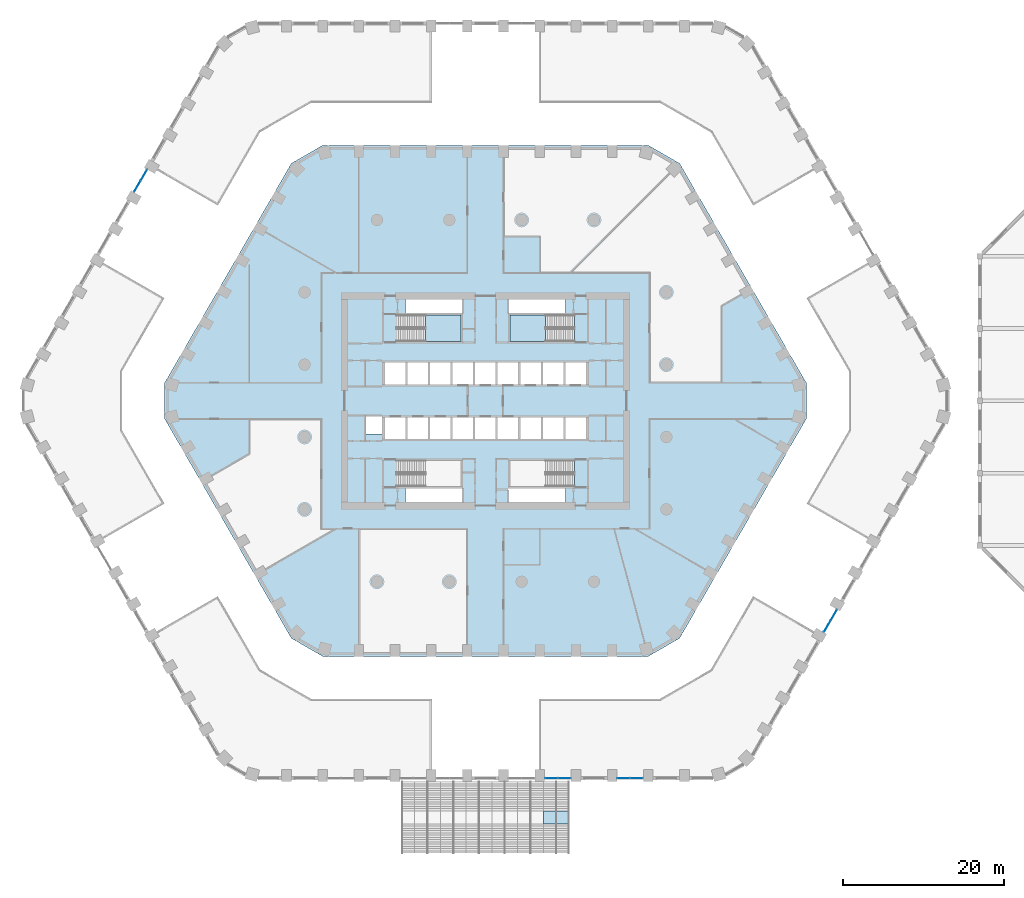
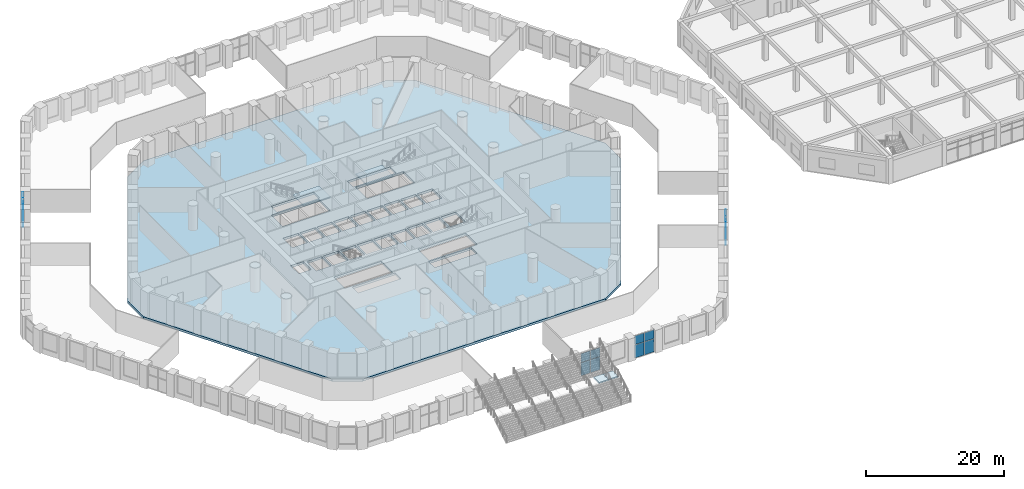
# One storey, part 14 of 42: 16 plates, 5 slabs, 8 elements without a shape of their own.
"""IFC4 building model written with IfcOpenShell, lengths in metres."""

from ifc_helpers import new_model, si_unit, direction, frame, origin, origin_2d, place, context, subcontext, project, spatial, polyline, rectangle, outline, extrude, material, layer, layer_set, type_object, element, aggregate, save


model = new_model("IFC4")

# Units and contexts
model_context = context("Model", 3, precision=1e-05, world=origin(), true_north=direction((0.0, 1.0)))
body_context = subcontext(model_context, "Body", "Model", "MODEL_VIEW")
ifc_project = project(units=[si_unit("LENGTHUNIT", "METRE"), si_unit("AREAUNIT", "SQUARE_METRE"), si_unit("VOLUMEUNIT", "CUBIC_METRE"), si_unit("PLANEANGLEUNIT", "RADIAN"), si_unit("MASSUNIT", "GRAM", prefix="KILO")], contexts=[model_context])

# Site, building, storey
site_placement = place(None, origin())
site = spatial("IfcSite", under=ifc_project, at=site_placement, CompositionType="ELEMENT")
building_placement = place(site_placement, origin())
building = spatial("IfcBuilding", under=site, at=building_placement, Name="Dhurran Vertical Campus", CompositionType="ELEMENT")
storey_placement = place(building_placement, frame((0.0, 0.0, 6.0)))
storey = spatial("IfcBuildingStorey", under=building, at=storey_placement, Name="L01", CompositionType="ELEMENT", Elevation=6.0)

# Curtain wall, plates
ifc_material_1 = material(Name="Aluminium frame with solar-control glass", Category="aluminium")
ifc_layer_1 = layer(ifc_material_1, 0.199951171875)
ifc_layer_set_1 = layer_set([ifc_layer_1], Name="Aluminium frame with solar-control glass")
curtain_wall_type = type_object("IfcCurtainWallType", Name="Entrance glazing system", PredefinedType="NOTDEFINED", material=ifc_layer_set_1)
curtain_wall_1_placement = place(storey_placement, origin())
curtain_wall_1 = element("IfcCurtainWall", 1, at=curtain_wall_1_placement, inside=storey, type_object=curtain_wall_type, Name="CW1 L01.08", PredefinedType="NOTDEFINED")
ifc_material_2 = material(Name="Clear solar-control glass", Category="glass")
ifc_layer_2 = layer(ifc_material_2, 0.028076171875)
ifc_layer_set_2 = layer_set([ifc_layer_2], Name="Clear solar-control glass")
plate_type = type_object("IfcPlateType", Name="Entrance glazing system panel", PredefinedType="CURTAIN_PANEL", material=ifc_layer_set_2)
plate_1_placement = place(storey_placement, frame((8.190185546875, -46.943359375, 0.06005859375), z_axis=(0.0, 0.0, 1.0), x_axis=(1.0, 0.0, 0.0)))
plate_1 = element("IfcPlate", 2, at=plate_1_placement, type_object=plate_type, Name="CW1 panel 1.1", PredefinedType="CURTAIN_PANEL", context=body_context, shape_type="SweptSolid", body=[
    extrude(rectangle(XDim=1.5595703125, YDim=0.028076171875, at=origin_2d()), origin(), (0.0, 0.0, 1.0), 2.31005859375),
])
plate_2_placement = place(storey_placement, frame((8.190185546875, -46.943359375, 2.429931640625), z_axis=(0.0, 0.0, 1.0), x_axis=(1.0, 0.0, 0.0)))
plate_2 = element("IfcPlate", 3, at=plate_2_placement, type_object=plate_type, Name="CW1 panel 1.2", PredefinedType="CURTAIN_PANEL", context=body_context, shape_type="SweptSolid", body=[
    extrude(rectangle(XDim=1.5595703125, YDim=0.028076171875, at=origin_2d()), origin(), (0.0, 0.0, 1.0), 1.56005859375),
])
plate_3_placement = place(storey_placement, frame((9.809814453125, -46.943359375, 0.06005859375), z_axis=(0.0, 0.0, 1.0), x_axis=(1.0, 0.0, 0.0)))
plate_3 = element("IfcPlate", 4, at=plate_3_placement, type_object=plate_type, Name="CW1 panel 2.1", PredefinedType="CURTAIN_PANEL", context=body_context, shape_type="SweptSolid", body=[
    extrude(rectangle(XDim=1.5595703125, YDim=0.028076171875, at=origin_2d()), origin(), (0.0, 0.0, 1.0), 2.31005859375),
])
plate_4_placement = place(storey_placement, frame((9.809814453125, -46.943359375, 2.429931640625), z_axis=(0.0, 0.0, 1.0), x_axis=(1.0, 0.0, 0.0)))
plate_4 = element("IfcPlate", 5, at=plate_4_placement, type_object=plate_type, Name="CW1 panel 2.2", PredefinedType="CURTAIN_PANEL", context=body_context, shape_type="SweptSolid", body=[
    extrude(rectangle(XDim=1.5595703125, YDim=0.028076171875, at=origin_2d()), origin(), (0.0, 0.0, 1.0), 1.56005859375),
])
aggregate(curtain_wall_1, [plate_1, plate_2, plate_3, plate_4])

curtain_wall_2_placement = place(storey_placement, origin())
curtain_wall_2 = element("IfcCurtainWall", 6, at=curtain_wall_2_placement, inside=storey, type_object=curtain_wall_type, Name="CW1 L01.10", PredefinedType="NOTDEFINED")
plate_5_placement = place(storey_placement, frame((17.190185546875, -46.943359375, 0.06005859375), z_axis=(0.0, 0.0, 1.0), x_axis=(1.0, 0.0, 0.0)))
plate_5 = element("IfcPlate", 7, at=plate_5_placement, type_object=plate_type, Name="CW1 panel 1.1", PredefinedType="CURTAIN_PANEL", context=body_context, shape_type="SweptSolid", body=[
    extrude(rectangle(XDim=1.5595703125, YDim=0.028076171875, at=origin_2d()), origin(), (0.0, 0.0, 1.0), 2.31005859375),
])
plate_6_placement = place(storey_placement, frame((17.190185546875, -46.943359375, 2.429931640625), z_axis=(0.0, 0.0, 1.0), x_axis=(1.0, 0.0, 0.0)))
plate_6 = element("IfcPlate", 8, at=plate_6_placement, type_object=plate_type, Name="CW1 panel 1.2", PredefinedType="CURTAIN_PANEL", context=body_context, shape_type="SweptSolid", body=[
    extrude(rectangle(XDim=1.5595703125, YDim=0.028076171875, at=origin_2d()), origin(), (0.0, 0.0, 1.0), 1.56005859375),
])
plate_7_placement = place(storey_placement, frame((18.809814453125, -46.943359375, 0.06005859375), z_axis=(0.0, 0.0, 1.0), x_axis=(1.0, 0.0, 0.0)))
plate_7 = element("IfcPlate", 9, at=plate_7_placement, type_object=plate_type, Name="CW1 panel 2.1", PredefinedType="CURTAIN_PANEL", context=body_context, shape_type="SweptSolid", body=[
    extrude(rectangle(XDim=1.5595703125, YDim=0.028076171875, at=origin_2d()), origin(), (0.0, 0.0, 1.0), 2.31005859375),
])
plate_8_placement = place(storey_placement, frame((18.809814453125, -46.943359375, 2.429931640625), z_axis=(0.0, 0.0, 1.0), x_axis=(1.0, 0.0, 0.0)))
plate_8 = element("IfcPlate", 10, at=plate_8_placement, type_object=plate_type, Name="CW1 panel 2.2", PredefinedType="CURTAIN_PANEL", context=body_context, shape_type="SweptSolid", body=[
    extrude(rectangle(XDim=1.5595703125, YDim=0.028076171875, at=origin_2d()), origin(), (0.0, 0.0, 1.0), 1.56005859375),
])
aggregate(curtain_wall_2, [plate_5, plate_6, plate_7, plate_8])

curtain_wall_3_placement = place(storey_placement, origin())
curtain_wall_3 = element("IfcCurtainWall", 11, at=curtain_wall_3_placement, inside=storey, type_object=curtain_wall_type, Name="CW1 L01.18", PredefinedType="NOTDEFINED")
plate_9_placement = place(storey_placement, frame((42.499267578125, -28.070068359375, 0.06005859375), z_axis=(0.0, 0.0, 1.0), x_axis=(0.499989211906, 0.866031632204, 0.0)))
plate_9 = element("IfcPlate", 12, at=plate_9_placement, type_object=plate_type, Name="CW1 panel 1.1", PredefinedType="CURTAIN_PANEL", context=body_context, shape_type="SweptSolid", body=[
    extrude(rectangle(XDim=1.5595703125, YDim=0.028076171875, at=origin_2d()), origin(), (0.0, 0.0, 1.0), 2.31005859375),
])
plate_10_placement = place(storey_placement, frame((42.499267578125, -28.070068359375, 2.429931640625), z_axis=(0.0, 0.0, 1.0), x_axis=(0.499989211906, 0.866031632204, 0.0)))
plate_10 = element("IfcPlate", 13, at=plate_10_placement, type_object=plate_type, Name="CW1 panel 1.2", PredefinedType="CURTAIN_PANEL", context=body_context, shape_type="SweptSolid", body=[
    extrude(rectangle(XDim=1.5595703125, YDim=0.028076171875, at=origin_2d()), origin(), (0.0, 0.0, 1.0), 1.56005859375),
])
plate_11_placement = place(storey_placement, frame((43.308837890625, -26.66748046875, 0.06005859375), z_axis=(0.0, 0.0, 1.0), x_axis=(0.499989211906, 0.866031632204, 0.0)))
plate_11 = element("IfcPlate", 14, at=plate_11_placement, type_object=plate_type, Name="CW1 panel 2.1", PredefinedType="CURTAIN_PANEL", context=body_context, shape_type="SweptSolid", body=[
    extrude(rectangle(XDim=1.5595703125, YDim=0.028076171875, at=origin_2d()), origin(), (0.0, 0.0, 1.0), 2.31005859375),
])
plate_12_placement = place(storey_placement, frame((43.308837890625, -26.66748046875, 2.429931640625), z_axis=(0.0, 0.0, 1.0), x_axis=(0.499989211906, 0.866031632204, 0.0)))
plate_12 = element("IfcPlate", 15, at=plate_12_placement, type_object=plate_type, Name="CW1 panel 2.2", PredefinedType="CURTAIN_PANEL", context=body_context, shape_type="SweptSolid", body=[
    extrude(rectangle(XDim=1.5595703125, YDim=0.028076171875, at=origin_2d()), origin(), (0.0, 0.0, 1.0), 1.56005859375),
])
aggregate(curtain_wall_3, [plate_9, plate_10, plate_11, plate_12])

curtain_wall_4_placement = place(storey_placement, origin())
curtain_wall_4 = element("IfcCurtainWall", 16, at=curtain_wall_4_placement, inside=storey, type_object=curtain_wall_type, Name="CW1 L01.56", PredefinedType="NOTDEFINED")
plate_13_placement = place(storey_placement, frame((-42.499267578125, 28.070068359375, 0.06005859375), z_axis=(0.0, 0.0, 1.0), x_axis=(-0.499989211906, -0.866031632204, 0.0)))
plate_13 = element("IfcPlate", 17, at=plate_13_placement, type_object=plate_type, Name="CW1 panel 1.1", PredefinedType="CURTAIN_PANEL", context=body_context, shape_type="SweptSolid", body=[
    extrude(rectangle(XDim=1.5595703125, YDim=0.028076171875, at=origin_2d()), origin(), (0.0, 0.0, 1.0), 2.31005859375),
])
plate_14_placement = place(storey_placement, frame((-42.499267578125, 28.070068359375, 2.429931640625), z_axis=(0.0, 0.0, 1.0), x_axis=(-0.499989211906, -0.866031632204, 0.0)))
plate_14 = element("IfcPlate", 18, at=plate_14_placement, type_object=plate_type, Name="CW1 panel 1.2", PredefinedType="CURTAIN_PANEL", context=body_context, shape_type="SweptSolid", body=[
    extrude(rectangle(XDim=1.5595703125, YDim=0.028076171875, at=origin_2d()), origin(), (0.0, 0.0, 1.0), 1.56005859375),
])
plate_15_placement = place(storey_placement, frame((-43.308837890625, 26.66748046875, 0.06005859375), z_axis=(0.0, 0.0, 1.0), x_axis=(-0.499989211906, -0.866031632204, 0.0)))
plate_15 = element("IfcPlate", 19, at=plate_15_placement, type_object=plate_type, Name="CW1 panel 2.1", PredefinedType="CURTAIN_PANEL", context=body_context, shape_type="SweptSolid", body=[
    extrude(rectangle(XDim=1.5595703125, YDim=0.028076171875, at=origin_2d()), origin(), (0.0, 0.0, 1.0), 2.31005859375),
])
plate_16_placement = place(storey_placement, frame((-43.308837890625, 26.66748046875, 2.429931640625), z_axis=(0.0, 0.0, 1.0), x_axis=(-0.499989211906, -0.866031632204, 0.0)))
plate_16 = element("IfcPlate", 20, at=plate_16_placement, type_object=plate_type, Name="CW1 panel 2.2", PredefinedType="CURTAIN_PANEL", context=body_context, shape_type="SweptSolid", body=[
    extrude(rectangle(XDim=1.5595703125, YDim=0.028076171875, at=origin_2d()), origin(), (0.0, 0.0, 1.0), 1.56005859375),
])
aggregate(curtain_wall_4, [plate_13, plate_14, plate_15, plate_16])

# Slab
ifc_material_3 = material(Name="Concrete C40/50", Category="concrete")
ifc_layer_3 = layer(ifc_material_3, 0.39990234375)
ifc_layer_set_3 = layer_set([ifc_layer_3], Name="Concrete C40/50")
slab_type_1 = type_object("IfcSlabType", Name="FR POST-TENSIONED FLAT SLAB 400", PredefinedType="FLOOR", material=ifc_layer_set_3)
slab_1_placement = place(storey_placement, frame((0.0, 0.0, -0.39990234375)))
element("IfcSlab", 21, at=slab_1_placement, inside=storey, type_object=slab_type_1, Name="Floor slab L01", PredefinedType="FLOOR", context=body_context, shape_type="SweptSolid", body=[
    extrude(outline(polyline([(-20.25, -31.77978515625), (20.25, -31.77978515625), (24.147216796875, -29.52978515625), (39.897216796875, -2.25), (39.897216796875, 2.25), (24.147216796875, 29.52978515625), (20.25, 31.77978515625), (-20.25, 31.77978515625), (-24.147216796875, 29.52978515625), (-39.897216796875, 2.25), (-39.897216796875, -2.25), (-24.147216796875, -29.52978515625), (-20.25, -31.77978515625)]), holes=[polyline([(-12.47509765625, 2.050048828125), (-9.925048828125, 2.050048828125), (-9.925048828125, 4.75), (-12.47509765625, 4.75), (-12.47509765625, 2.050048828125)]), polyline([(-9.675048828125, 2.050048828125), (-7.125, 2.050048828125), (-7.125, 4.75), (-9.675048828125, 4.75), (-9.675048828125, 2.050048828125)]), polyline([(-6.875, 2.050048828125), (-4.324951171875, 2.050048828125), (-4.324951171875, 4.75), (-6.875, 4.75), (-6.875, 2.050048828125)]), polyline([(-1.27490234375, 2.050048828125), (1.27490234375, 2.050048828125), (1.27490234375, 4.75), (-1.27490234375, 4.75), (-1.27490234375, 2.050048828125)]), polyline([(9.925048828125, 2.050048828125), (12.47509765625, 2.050048828125), (12.47509765625, 4.75), (9.925048828125, 4.75), (9.925048828125, 2.050048828125)]), polyline([(-1.27490234375, -4.75), (1.27490234375, -4.75), (1.27490234375, -2.050048828125), (-1.27490234375, -2.050048828125), (-1.27490234375, -4.75)]), polyline([(1.52490234375, -4.75), (4.074951171875, -4.75), (4.074951171875, -2.050048828125), (1.52490234375, -2.050048828125), (1.52490234375, -4.75)]), polyline([(4.324951171875, -4.75), (6.875, -4.75), (6.875, -2.050048828125), (4.324951171875, -2.050048828125), (4.324951171875, -4.75)]), polyline([(7.125, -4.75), (9.675048828125, -4.75), (9.675048828125, -2.050048828125), (7.125, -2.050048828125), (7.125, -4.75)]), polyline([(9.925048828125, -4.75), (12.47509765625, -4.75), (12.47509765625, -2.050048828125), (9.925048828125, -2.050048828125), (9.925048828125, -4.75)]), polyline([(-4.074951171875, 2.050048828125), (-1.52490234375, 2.050048828125), (-1.52490234375, 4.75), (-4.074951171875, 4.75), (-4.074951171875, 2.050048828125)]), polyline([(1.52490234375, 2.050048828125), (4.074951171875, 2.050048828125), (4.074951171875, 4.75), (1.52490234375, 4.75), (1.52490234375, 2.050048828125)]), polyline([(4.324951171875, 2.050048828125), (6.875, 2.050048828125), (6.875, 4.75), (4.324951171875, 4.75), (4.324951171875, 2.050048828125)]), polyline([(7.125, 2.050048828125), (9.675048828125, 2.050048828125), (9.675048828125, 4.75), (7.125, 4.75), (7.125, 2.050048828125)]), polyline([(-12.47509765625, -4.75), (-9.925048828125, -4.75), (-9.925048828125, -2.050048828125), (-12.47509765625, -2.050048828125), (-12.47509765625, -4.75)]), polyline([(-9.675048828125, -4.75), (-7.125, -4.75), (-7.125, -2.050048828125), (-9.675048828125, -2.050048828125), (-9.675048828125, -4.75)]), polyline([(-6.875, -4.75), (-4.324951171875, -4.75), (-4.324951171875, -2.050048828125), (-6.875, -2.050048828125), (-6.875, -4.75)]), polyline([(-4.074951171875, -4.75), (-1.52490234375, -4.75), (-1.52490234375, -2.050048828125), (-4.074951171875, -2.050048828125), (-4.074951171875, -4.75)]), polyline([(-11.050048828125, 7.39990234375), (-3.050048828125, 7.39990234375), (-3.050048828125, 10.64990234375), (-11.050048828125, 10.64990234375), (-11.050048828125, 7.39990234375)]), polyline([(3.050048828125, 7.39990234375), (11.050048828125, 7.39990234375), (11.050048828125, 10.64990234375), (3.050048828125, 10.64990234375), (3.050048828125, 7.39990234375)]), polyline([(-11.050048828125, -10.64990234375), (-3.050048828125, -10.64990234375), (-3.050048828125, -7.39990234375), (-11.050048828125, -7.39990234375), (-11.050048828125, -10.64990234375)]), polyline([(3.050048828125, -10.64990234375), (11.050048828125, -10.64990234375), (11.050048828125, -7.39990234375), (3.050048828125, -7.39990234375), (3.050048828125, -10.64990234375)]), polyline([(-9.949951171875, 10.89990234375), (-9.949951171875, 12.60009765625), (-2.800048828125, 12.60009765625), (-2.800048828125, 10.89990234375), (-9.949951171875, 10.89990234375)]), polyline([(9.949951171875, 12.60009765625), (9.949951171875, 10.89990234375), (2.800048828125, 10.89990234375), (2.800048828125, 12.60009765625), (9.949951171875, 12.60009765625)]), polyline([(-9.949951171875, -12.60009765625), (-9.949951171875, -10.89990234375), (-2.800048828125, -10.89990234375), (-2.800048828125, -12.60009765625), (-9.949951171875, -12.60009765625)]), polyline([(9.949951171875, -10.89990234375), (9.949951171875, -12.60009765625), (2.800048828125, -12.60009765625), (2.800048828125, -10.89990234375), (9.949951171875, -10.89990234375)]), polyline([(-12.89990234375, -4.10009765625), (-15.0, -4.10009765625), (-15.0, -1.800048828125), (-12.89990234375, -1.800048828125), (-12.89990234375, -4.10009765625)])]), origin(), (0.0, 0.0, 1.0), 0.39990234375),
])

# Stair, slab
ifc_material_4 = material(Name="Concrete C40/50", Category="concrete")
stair_type_1 = type_object("IfcStairType", Name="co-ST-CORE", PredefinedType="HALF_TURN_STAIR", material=ifc_material_4)
stair_1_placement = place(storey_placement, origin())
stair_1 = element("IfcStair", 22, at=stair_1_placement, inside=storey, type_object=stair_type_1, Name="L01 Protected exit stair ST1", PredefinedType="HALF_TURN_STAIR")
ifc_material_5 = material(Name="Concrete C40/50", Category="concrete")
ifc_layer_4 = layer(ifc_material_5, 0.199951171875)
ifc_layer_set_4 = layer_set([ifc_layer_4], Name="Concrete C40/50")
slab_type_2 = type_object("IfcSlabType", Name="co-SL-LANDING", PredefinedType="LANDING", material=ifc_layer_set_4)
slab_2_placement = place(storey_placement, frame((0.0, 0.0, 2.199951171875)))
slab_2 = element("IfcSlab", 23, at=slab_2_placement, type_object=slab_type_2, Name="ST1 landing 1", PredefinedType="LANDING", context=body_context, shape_type="SweptSolid", body=[
    extrude(outline(polyline([(-7.4599609375, 7.39990234375), (-3.050048828125, 7.39990234375), (-3.050048828125, 10.64990234375), (-7.4599609375, 10.64990234375), (-7.4599609375, 7.39990234375)])), origin(), (0.0, 0.0, 1.0), 0.199951171875),
])
aggregate(stair_1, [slab_2])

stair_2_placement = place(storey_placement, origin())
stair_2 = element("IfcStair", 24, at=stair_2_placement, inside=storey, type_object=stair_type_1, Name="L01 Protected exit stair ST2", PredefinedType="HALF_TURN_STAIR")
slab_3_placement = place(storey_placement, frame((0.0, 0.0, 2.199951171875)))
slab_3 = element("IfcSlab", 25, at=slab_3_placement, type_object=slab_type_2, Name="ST2 landing 1", PredefinedType="LANDING", context=body_context, shape_type="SweptSolid", body=[
    extrude(outline(polyline([(7.4599609375, 10.64990234375), (3.050048828125, 10.64990234375), (3.050048828125, 7.39990234375), (7.4599609375, 7.39990234375), (7.4599609375, 10.64990234375)])), origin(), (0.0, 0.0, 1.0), 0.199951171875),
])
aggregate(stair_2, [slab_3])

ifc_material_6 = material(Name="Concrete C40/50", Category="concrete")
stair_type_2 = type_object("IfcStairType", Name="st-broad stair straight 3 flights", PredefinedType="STRAIGHT_RUN_STAIR", material=ifc_material_6)
stair_3_placement = place(storey_placement, origin())
stair_3 = element("IfcStair", 26, at=stair_3_placement, inside=storey, type_object=stair_type_2, Name="Broad stair DS2-12 to the raised garden", PredefinedType="STRAIGHT_RUN_STAIR")
ifc_material_7 = material(Name="Concrete C40/50", Category="concrete")
ifc_layer_5 = layer(ifc_material_7, 0.199951171875)
ifc_layer_set_5 = layer_set([ifc_layer_5], Name="Concrete C40/50")
slab_type_3 = type_object("IfcSlabType", Name="st-stair landing 200", PredefinedType="LANDING", material=ifc_layer_set_5)
slab_4_placement = place(storey_placement, frame((0.0, 0.0, 2.199951171875)))
slab_4 = element("IfcSlab", 27, at=slab_4_placement, type_object=slab_type_3, Name="DS2-12 landing 1", PredefinedType="LANDING", context=body_context, shape_type="SweptSolid", body=[
    extrude(outline(polyline([(7.199951171875, -52.608154296875), (8.800048828125, -52.608154296875), (8.800048828125, -51.00830078125), (7.199951171875, -51.00830078125), (7.199951171875, -52.608154296875)])), origin(), (0.0, 0.0, 1.0), 0.199951171875),
])
aggregate(stair_3, [slab_4])

stair_4_placement = place(storey_placement, origin())
stair_4 = element("IfcStair", 28, at=stair_4_placement, inside=storey, type_object=stair_type_2, Name="Broad stair DS2-13 to the raised garden", PredefinedType="STRAIGHT_RUN_STAIR")
slab_5_placement = place(storey_placement, frame((0.0, 0.0, 2.199951171875)))
slab_5 = element("IfcSlab", 29, at=slab_5_placement, type_object=slab_type_3, Name="DS2-13 landing 1", PredefinedType="LANDING", context=body_context, shape_type="SweptSolid", body=[
    extrude(outline(polyline([(8.800048828125, -52.608154296875), (10.39990234375, -52.608154296875), (10.39990234375, -51.00830078125), (8.800048828125, -51.00830078125), (8.800048828125, -52.608154296875)])), origin(), (0.0, 0.0, 1.0), 0.199951171875),
])
aggregate(stair_4, [slab_5])

save(model, "model.ifc")
